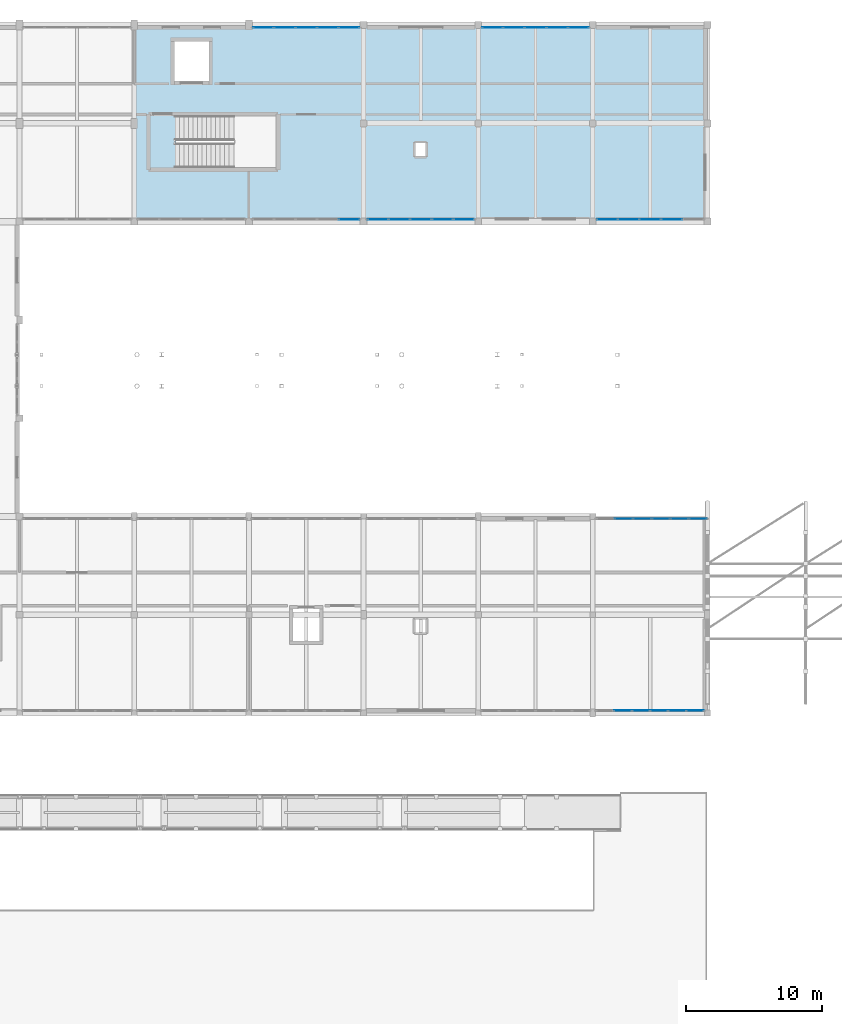
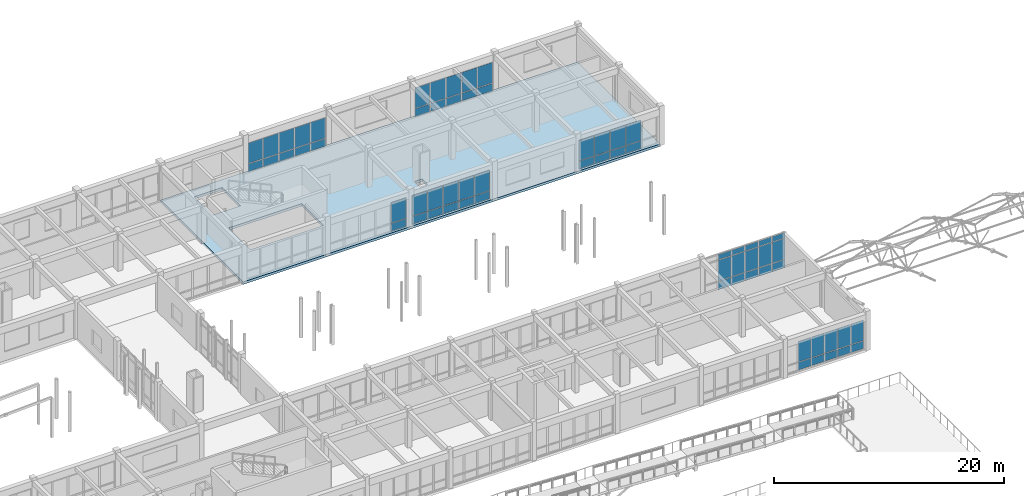
# One storey, part 68 of 89: 65 plates, 1 slab, 7 elements without a shape of their own.
"""IFC4 building model written with IfcOpenShell, lengths in metres."""

from ifc_helpers import new_model, si_unit, direction, frame, origin, origin_2d, place, context, subcontext, project, spatial, polyline, rectangle, outline, extrude, material, layer, layer_set, type_object, element, aggregate, save


model = new_model("IFC4")

# Units and contexts
model_context = context("Model", 3, precision=1e-05, world=origin(), true_north=direction((0.0, 1.0)))
body_context = subcontext(model_context, "Body", "Model", "MODEL_VIEW")
ifc_project = project(units=[si_unit("LENGTHUNIT", "METRE"), si_unit("AREAUNIT", "SQUARE_METRE"), si_unit("VOLUMEUNIT", "CUBIC_METRE"), si_unit("PLANEANGLEUNIT", "RADIAN"), si_unit("MASSUNIT", "GRAM", prefix="KILO")], contexts=[model_context])

# Site, building, storey
site_placement = place(None, origin())
site = spatial("IfcSite", under=ifc_project, at=site_placement, CompositionType="ELEMENT")
building_placement = place(site_placement, origin())
building = spatial("IfcBuilding", under=site, at=building_placement, Name="Malvenik Polytechnic", CompositionType="ELEMENT")
storey_placement = place(building_placement, frame((0.0, 0.0, 13.5)))
storey = spatial("IfcBuildingStorey", under=building, at=storey_placement, Name="L03", CompositionType="ELEMENT", Elevation=13.5)

# Curtain wall, plates
ifc_material_1 = material(Name="Anodised aluminium 6060-T6", Category="aluminium")
curtain_wall_type_1 = type_object("IfcCurtainWallType", Name="ARC-CW-CW-02", PredefinedType="NOTDEFINED", material=ifc_material_1)
curtain_wall_1_placement = place(storey_placement, origin())
curtain_wall_1 = element("IfcCurtainWall", 1, at=curtain_wall_1_placement, inside=storey, type_object=curtain_wall_type_1, Name="Unitised Curtain Wall CW-02 L03 #180", PredefinedType="NOTDEFINED")
ifc_material_2 = material(Name="Insulated low-E double glazing 8-16-8", Category="glass")
ifc_layer_1 = layer(ifc_material_2, 0.028076171875)
ifc_layer_set_1 = layer_set([ifc_layer_1], Name="Insulated low-E double glazing 8-16-8")
plate_type_1 = type_object("IfcPlateType", Name="ARC-CWP-CP-GLZ28", PredefinedType="CURTAIN_PANEL", material=ifc_layer_set_1)
plate_1_placement = place(storey_placement, frame((101.853515625, 129.429931640625, 0.929931640625), z_axis=(0.0, 0.0, 1.0), x_axis=(1.0, 0.0, 0.0)))
plate_1 = element("IfcPlate", 2, at=plate_1_placement, type_object=plate_type_1, Name="CW-02 panel 1.2", PredefinedType="CURTAIN_PANEL", context=body_context, shape_type="SweptSolid", body=[
    extrude(rectangle(XDim=1.49072265625, YDim=0.028076171875, at=origin_2d()), origin(), (0.0, 0.0, 1.0), 2.169921875),
])
plate_2_placement = place(storey_placement, frame((103.419189453125, 129.429931640625, 0.929931640625), z_axis=(0.0, 0.0, 1.0), x_axis=(1.0, 0.0, 0.0)))
plate_2 = element("IfcPlate", 3, at=plate_2_placement, type_object=plate_type_1, Name="CW-02 panel 2.2", PredefinedType="CURTAIN_PANEL", context=body_context, shape_type="SweptSolid", body=[
    extrude(rectangle(XDim=1.520751953125, YDim=0.028076171875, at=origin_2d()), origin(), (0.0, 0.0, 1.0), 2.169921875),
])
plate_3_placement = place(storey_placement, frame((105.0, 129.429931640625, 0.929931640625), z_axis=(0.0, 0.0, 1.0), x_axis=(1.0, 0.0, 0.0)))
plate_3 = element("IfcPlate", 4, at=plate_3_placement, type_object=plate_type_1, Name="CW-02 panel 3.2", PredefinedType="CURTAIN_PANEL", context=body_context, shape_type="SweptSolid", body=[
    extrude(rectangle(XDim=1.520751953125, YDim=0.028076171875, at=origin_2d()), origin(), (0.0, 0.0, 1.0), 2.169921875),
])
plate_4_placement = place(storey_placement, frame((106.580810546875, 129.429931640625, 0.929931640625), z_axis=(0.0, 0.0, 1.0), x_axis=(1.0, 0.0, 0.0)))
plate_4 = element("IfcPlate", 5, at=plate_4_placement, type_object=plate_type_1, Name="CW-02 panel 4.2", PredefinedType="CURTAIN_PANEL", context=body_context, shape_type="SweptSolid", body=[
    extrude(rectangle(XDim=1.520751953125, YDim=0.028076171875, at=origin_2d()), origin(), (0.0, 0.0, 1.0), 2.169921875),
])
plate_5_placement = place(storey_placement, frame((108.146484375, 129.429931640625, 0.929931640625), z_axis=(0.0, 0.0, 1.0), x_axis=(1.0, 0.0, 0.0)))
plate_5 = element("IfcPlate", 6, at=plate_5_placement, type_object=plate_type_1, Name="CW-02 panel 5.2", PredefinedType="CURTAIN_PANEL", context=body_context, shape_type="SweptSolid", body=[
    extrude(rectangle(XDim=1.49072265625, YDim=0.028076171875, at=origin_2d()), origin(), (0.0, 0.0, 1.0), 2.169921875),
])

curtain_wall_2_placement = place(storey_placement, origin())
curtain_wall_2 = element("IfcCurtainWall", 7, at=curtain_wall_2_placement, inside=storey, type_object=curtain_wall_type_1, Name="Unitised Curtain Wall CW-02 L03 #181", PredefinedType="NOTDEFINED")
plate_6_placement = place(storey_placement, frame((118.6533203125, 129.429931640625, 0.929931640625), z_axis=(0.0, 0.0, 1.0), x_axis=(1.0, 0.0, 0.0)))
plate_6 = element("IfcPlate", 8, at=plate_6_placement, type_object=plate_type_1, Name="CW-02 panel 1.2", PredefinedType="CURTAIN_PANEL", context=body_context, shape_type="SweptSolid", body=[
    extrude(rectangle(XDim=1.49072265625, YDim=0.028076171875, at=origin_2d()), origin(), (0.0, 0.0, 1.0), 2.169921875),
])
plate_7_placement = place(storey_placement, frame((120.21923828125, 129.429931640625, 0.929931640625), z_axis=(0.0, 0.0, 1.0), x_axis=(1.0, 0.0, 0.0)))
plate_7 = element("IfcPlate", 9, at=plate_7_placement, type_object=plate_type_1, Name="CW-02 panel 2.2", PredefinedType="CURTAIN_PANEL", context=body_context, shape_type="SweptSolid", body=[
    extrude(rectangle(XDim=1.520751953125, YDim=0.028076171875, at=origin_2d()), origin(), (0.0, 0.0, 1.0), 2.169921875),
])
plate_8_placement = place(storey_placement, frame((121.800048828125, 129.429931640625, 0.929931640625), z_axis=(0.0, 0.0, 1.0), x_axis=(1.0, 0.0, 0.0)))
plate_8 = element("IfcPlate", 10, at=plate_8_placement, type_object=plate_type_1, Name="CW-02 panel 3.2", PredefinedType="CURTAIN_PANEL", context=body_context, shape_type="SweptSolid", body=[
    extrude(rectangle(XDim=1.520751953125, YDim=0.028076171875, at=origin_2d()), origin(), (0.0, 0.0, 1.0), 2.169921875),
])
plate_9_placement = place(storey_placement, frame((123.380859375, 129.429931640625, 0.929931640625), z_axis=(0.0, 0.0, 1.0), x_axis=(1.0, 0.0, 0.0)))
plate_9 = element("IfcPlate", 11, at=plate_9_placement, type_object=plate_type_1, Name="CW-02 panel 4.2", PredefinedType="CURTAIN_PANEL", context=body_context, shape_type="SweptSolid", body=[
    extrude(rectangle(XDim=1.520751953125, YDim=0.028076171875, at=origin_2d()), origin(), (0.0, 0.0, 1.0), 2.169921875),
])
plate_10_placement = place(storey_placement, frame((124.946533203125, 129.429931640625, 0.929931640625), z_axis=(0.0, 0.0, 1.0), x_axis=(1.0, 0.0, 0.0)))
plate_10 = element("IfcPlate", 12, at=plate_10_placement, type_object=plate_type_1, Name="CW-02 panel 5.2", PredefinedType="CURTAIN_PANEL", context=body_context, shape_type="SweptSolid", body=[
    extrude(rectangle(XDim=1.49072265625, YDim=0.028076171875, at=origin_2d()), origin(), (0.0, 0.0, 1.0), 2.169921875),
])

curtain_wall_3_placement = place(storey_placement, origin())
curtain_wall_3 = element("IfcCurtainWall", 13, at=curtain_wall_3_placement, inside=storey, type_object=curtain_wall_type_1, Name="Unitised Curtain Wall CW-02 L03 #182", PredefinedType="NOTDEFINED")
plate_11_placement = place(storey_placement, frame((131.78076171875, 115.3701171875, 0.929931640625), z_axis=(0.0, 0.0, 1.0), x_axis=(-1.0, 0.0, 0.0)))
plate_11 = element("IfcPlate", 14, at=plate_11_placement, type_object=plate_type_1, Name="CW-02 panel 2.2", PredefinedType="CURTAIN_PANEL", context=body_context, shape_type="SweptSolid", body=[
    extrude(rectangle(XDim=1.520751953125, YDim=0.028076171875, at=origin_2d()), origin(), (0.0, 0.0, 1.0), 2.169921875),
])
plate_12_placement = place(storey_placement, frame((130.199951171875, 115.3701171875, 0.929931640625), z_axis=(0.0, 0.0, 1.0), x_axis=(-1.0, 0.0, 0.0)))
plate_12 = element("IfcPlate", 15, at=plate_12_placement, type_object=plate_type_1, Name="CW-02 panel 3.2", PredefinedType="CURTAIN_PANEL", context=body_context, shape_type="SweptSolid", body=[
    extrude(rectangle(XDim=1.520751953125, YDim=0.028076171875, at=origin_2d()), origin(), (0.0, 0.0, 1.0), 2.169921875),
])
plate_13_placement = place(storey_placement, frame((128.619140625, 115.3701171875, 0.929931640625), z_axis=(0.0, 0.0, 1.0), x_axis=(-1.0, 0.0, 0.0)))
plate_13 = element("IfcPlate", 16, at=plate_13_placement, type_object=plate_type_1, Name="CW-02 panel 4.2", PredefinedType="CURTAIN_PANEL", context=body_context, shape_type="SweptSolid", body=[
    extrude(rectangle(XDim=1.520751953125, YDim=0.028076171875, at=origin_2d()), origin(), (0.0, 0.0, 1.0), 2.169921875),
])
plate_14_placement = place(storey_placement, frame((127.053466796875, 115.3701171875, 0.929931640625), z_axis=(0.0, 0.0, 1.0), x_axis=(-1.0, 0.0, 0.0)))
plate_14 = element("IfcPlate", 17, at=plate_14_placement, type_object=plate_type_1, Name="CW-02 panel 5.2", PredefinedType="CURTAIN_PANEL", context=body_context, shape_type="SweptSolid", body=[
    extrude(rectangle(XDim=1.49072265625, YDim=0.028076171875, at=origin_2d()), origin(), (0.0, 0.0, 1.0), 2.169921875),
])

curtain_wall_4_placement = place(storey_placement, origin())
curtain_wall_4 = element("IfcCurtainWall", 18, at=curtain_wall_4_placement, inside=storey, type_object=curtain_wall_type_1, Name="Unitised Curtain Wall CW-02 L03 #183", PredefinedType="NOTDEFINED")
plate_15_placement = place(storey_placement, frame((116.546630859375, 115.3701171875, 0.929931640625), z_axis=(0.0, 0.0, 1.0), x_axis=(-1.0, 0.0, 0.0)))
plate_15 = element("IfcPlate", 19, at=plate_15_placement, type_object=plate_type_1, Name="CW-02 panel 1.2", PredefinedType="CURTAIN_PANEL", context=body_context, shape_type="SweptSolid", body=[
    extrude(rectangle(XDim=1.49072265625, YDim=0.028076171875, at=origin_2d()), origin(), (0.0, 0.0, 1.0), 2.169921875),
])
plate_16_placement = place(storey_placement, frame((114.980712890625, 115.3701171875, 0.929931640625), z_axis=(0.0, 0.0, 1.0), x_axis=(-1.0, 0.0, 0.0)))
plate_16 = element("IfcPlate", 20, at=plate_16_placement, type_object=plate_type_1, Name="CW-02 panel 2.2", PredefinedType="CURTAIN_PANEL", context=body_context, shape_type="SweptSolid", body=[
    extrude(rectangle(XDim=1.520751953125, YDim=0.028076171875, at=origin_2d()), origin(), (0.0, 0.0, 1.0), 2.169921875),
])
plate_17_placement = place(storey_placement, frame((113.39990234375, 115.3701171875, 0.929931640625), z_axis=(0.0, 0.0, 1.0), x_axis=(-1.0, 0.0, 0.0)))
plate_17 = element("IfcPlate", 21, at=plate_17_placement, type_object=plate_type_1, Name="CW-02 panel 3.2", PredefinedType="CURTAIN_PANEL", context=body_context, shape_type="SweptSolid", body=[
    extrude(rectangle(XDim=1.520751953125, YDim=0.028076171875, at=origin_2d()), origin(), (0.0, 0.0, 1.0), 2.169921875),
])
plate_18_placement = place(storey_placement, frame((111.819091796875, 115.3701171875, 0.929931640625), z_axis=(0.0, 0.0, 1.0), x_axis=(-1.0, 0.0, 0.0)))
plate_18 = element("IfcPlate", 22, at=plate_18_placement, type_object=plate_type_1, Name="CW-02 panel 4.2", PredefinedType="CURTAIN_PANEL", context=body_context, shape_type="SweptSolid", body=[
    extrude(rectangle(XDim=1.520751953125, YDim=0.028076171875, at=origin_2d()), origin(), (0.0, 0.0, 1.0), 2.169921875),
])
plate_19_placement = place(storey_placement, frame((110.25341796875, 115.3701171875, 0.929931640625), z_axis=(0.0, 0.0, 1.0), x_axis=(-1.0, 0.0, 0.0)))
plate_19 = element("IfcPlate", 23, at=plate_19_placement, type_object=plate_type_1, Name="CW-02 panel 5.2", PredefinedType="CURTAIN_PANEL", context=body_context, shape_type="SweptSolid", body=[
    extrude(rectangle(XDim=1.49072265625, YDim=0.028076171875, at=origin_2d()), origin(), (0.0, 0.0, 1.0), 2.169921875),
])

# Curtain wall, plate
curtain_wall_5_placement = place(storey_placement, origin())
curtain_wall_5 = element("IfcCurtainWall", 24, at=curtain_wall_5_placement, inside=storey, type_object=curtain_wall_type_1, Name="Unitised Curtain Wall CW-02 L03 #184", PredefinedType="NOTDEFINED")
plate_20_placement = place(storey_placement, frame((108.146484375, 115.3701171875, 0.929931640625), z_axis=(0.0, 0.0, 1.0), x_axis=(-1.0, 0.0, 0.0)))
plate_20 = element("IfcPlate", 25, at=plate_20_placement, type_object=plate_type_1, Name="CW-02 panel 1.2", PredefinedType="CURTAIN_PANEL", context=body_context, shape_type="SweptSolid", body=[
    extrude(rectangle(XDim=1.49072265625, YDim=0.028076171875, at=origin_2d()), origin(), (0.0, 0.0, 1.0), 2.169921875),
])

# Curtain wall, plates
curtain_wall_type_2 = type_object("IfcCurtainWallType", Name="ARC-CW-CW-01", PredefinedType="NOTDEFINED", material=ifc_material_1)
curtain_wall_6_placement = place(storey_placement, origin())
curtain_wall_6 = element("IfcCurtainWall", 26, at=curtain_wall_6_placement, inside=storey, type_object=curtain_wall_type_2, Name="Unitised Curtain Wall CW-01 L03 #192", PredefinedType="NOTDEFINED")
plate_21_placement = place(storey_placement, frame((128.267333984375, 93.429931640625, 0.97998046875), z_axis=(0.0, 0.0, 1.0), x_axis=(1.0, 0.0, 0.0)))
plate_21 = element("IfcPlate", 27, at=plate_21_placement, type_object=plate_type_1, Name="CW-01 panel 2.2", PredefinedType="CURTAIN_PANEL", context=body_context, shape_type="SweptSolid", body=[
    extrude(rectangle(XDim=1.302734375, YDim=0.028076171875, at=origin_2d()), origin(), (0.0, 0.0, 1.0), 2.199951171875),
])
plate_22_placement = place(storey_placement, frame((128.267333984375, 93.429931640625, 3.239990234375), z_axis=(0.0, 0.0, 1.0), x_axis=(1.0, 0.0, 0.0)))
plate_22 = element("IfcPlate", 28, at=plate_22_placement, type_object=plate_type_1, Name="CW-01 panel 2.3", PredefinedType="CURTAIN_PANEL", context=body_context, shape_type="SweptSolid", body=[
    extrude(rectangle(XDim=1.302734375, YDim=0.028076171875, at=origin_2d()), origin(), (0.0, 0.0, 1.0), 0.56005859375),
])
plate_23_placement = place(storey_placement, frame((129.630126953125, 93.429931640625, 0.97998046875), z_axis=(0.0, 0.0, 1.0), x_axis=(1.0, 0.0, 0.0)))
plate_23 = element("IfcPlate", 29, at=plate_23_placement, type_object=plate_type_1, Name="CW-01 panel 3.2", PredefinedType="CURTAIN_PANEL", context=body_context, shape_type="SweptSolid", body=[
    extrude(rectangle(XDim=1.302734375, YDim=0.028076171875, at=origin_2d()), origin(), (0.0, 0.0, 1.0), 2.199951171875),
])
plate_24_placement = place(storey_placement, frame((129.630126953125, 93.429931640625, 3.239990234375), z_axis=(0.0, 0.0, 1.0), x_axis=(1.0, 0.0, 0.0)))
plate_24 = element("IfcPlate", 30, at=plate_24_placement, type_object=plate_type_1, Name="CW-01 panel 3.3", PredefinedType="CURTAIN_PANEL", context=body_context, shape_type="SweptSolid", body=[
    extrude(rectangle(XDim=1.302734375, YDim=0.028076171875, at=origin_2d()), origin(), (0.0, 0.0, 1.0), 0.56005859375),
])
plate_25_placement = place(storey_placement, frame((130.992919921875, 93.429931640625, 0.97998046875), z_axis=(0.0, 0.0, 1.0), x_axis=(1.0, 0.0, 0.0)))
plate_25 = element("IfcPlate", 31, at=plate_25_placement, type_object=plate_type_1, Name="CW-01 panel 4.2", PredefinedType="CURTAIN_PANEL", context=body_context, shape_type="SweptSolid", body=[
    extrude(rectangle(XDim=1.302734375, YDim=0.028076171875, at=origin_2d()), origin(), (0.0, 0.0, 1.0), 2.199951171875),
])
plate_26_placement = place(storey_placement, frame((130.992919921875, 93.429931640625, 3.239990234375), z_axis=(0.0, 0.0, 1.0), x_axis=(1.0, 0.0, 0.0)))
plate_26 = element("IfcPlate", 32, at=plate_26_placement, type_object=plate_type_1, Name="CW-01 panel 4.3", PredefinedType="CURTAIN_PANEL", context=body_context, shape_type="SweptSolid", body=[
    extrude(rectangle(XDim=1.302734375, YDim=0.028076171875, at=origin_2d()), origin(), (0.0, 0.0, 1.0), 0.56005859375),
])
plate_27_placement = place(storey_placement, frame((132.355712890625, 93.429931640625, 0.97998046875), z_axis=(0.0, 0.0, 1.0), x_axis=(1.0, 0.0, 0.0)))
plate_27 = element("IfcPlate", 33, at=plate_27_placement, type_object=plate_type_1, Name="CW-01 panel 5.2", PredefinedType="CURTAIN_PANEL", context=body_context, shape_type="SweptSolid", body=[
    extrude(rectangle(XDim=1.302734375, YDim=0.028076171875, at=origin_2d()), origin(), (0.0, 0.0, 1.0), 2.199951171875),
])
plate_28_placement = place(storey_placement, frame((132.355712890625, 93.429931640625, 3.239990234375), z_axis=(0.0, 0.0, 1.0), x_axis=(1.0, 0.0, 0.0)))
plate_28 = element("IfcPlate", 34, at=plate_28_placement, type_object=plate_type_1, Name="CW-01 panel 5.3", PredefinedType="CURTAIN_PANEL", context=body_context, shape_type="SweptSolid", body=[
    extrude(rectangle(XDim=1.302734375, YDim=0.028076171875, at=origin_2d()), origin(), (0.0, 0.0, 1.0), 0.56005859375),
])
plate_29_placement = place(storey_placement, frame((133.70361328125, 93.429931640625, 0.97998046875), z_axis=(0.0, 0.0, 1.0), x_axis=(1.0, 0.0, 0.0)))
plate_29 = element("IfcPlate", 35, at=plate_29_placement, type_object=plate_type_1, Name="CW-01 panel 6.2", PredefinedType="CURTAIN_PANEL", context=body_context, shape_type="SweptSolid", body=[
    extrude(rectangle(XDim=1.27294921875, YDim=0.028076171875, at=origin_2d()), origin(), (0.0, 0.0, 1.0), 2.199951171875),
])
plate_30_placement = place(storey_placement, frame((133.70361328125, 93.429931640625, 3.239990234375), z_axis=(0.0, 0.0, 1.0), x_axis=(1.0, 0.0, 0.0)))
plate_30 = element("IfcPlate", 36, at=plate_30_placement, type_object=plate_type_1, Name="CW-01 panel 6.3", PredefinedType="CURTAIN_PANEL", context=body_context, shape_type="SweptSolid", body=[
    extrude(rectangle(XDim=1.27294921875, YDim=0.028076171875, at=origin_2d()), origin(), (0.0, 0.0, 1.0), 0.56005859375),
])

curtain_wall_7_placement = place(storey_placement, origin())
curtain_wall_7 = element("IfcCurtainWall", 37, at=curtain_wall_7_placement, inside=storey, type_object=curtain_wall_type_1, Name="Unitised Curtain Wall CW-02 L03 #193", PredefinedType="NOTDEFINED")
plate_31_placement = place(storey_placement, frame((133.4970703125, 79.3701171875, 0.929931640625), z_axis=(0.0, 0.0, 1.0), x_axis=(-1.0, 0.0, 0.0)))
plate_31 = element("IfcPlate", 38, at=plate_31_placement, type_object=plate_type_1, Name="CW-02 panel 1.2", PredefinedType="CURTAIN_PANEL", context=body_context, shape_type="SweptSolid", body=[
    extrude(rectangle(XDim=1.23974609375, YDim=0.028076171875, at=origin_2d()), origin(), (0.0, 0.0, 1.0), 2.169921875),
])
plate_32_placement = place(storey_placement, frame((132.18212890625, 79.3701171875, 0.929931640625), z_axis=(0.0, 0.0, 1.0), x_axis=(-1.0, 0.0, 0.0)))
plate_32 = element("IfcPlate", 39, at=plate_32_placement, type_object=plate_type_1, Name="CW-02 panel 2.2", PredefinedType="CURTAIN_PANEL", context=body_context, shape_type="SweptSolid", body=[
    extrude(rectangle(XDim=1.269775390625, YDim=0.028076171875, at=origin_2d()), origin(), (0.0, 0.0, 1.0), 2.169921875),
])
plate_33_placement = place(storey_placement, frame((130.852294921875, 79.3701171875, 0.929931640625), z_axis=(0.0, 0.0, 1.0), x_axis=(-1.0, 0.0, 0.0)))
plate_33 = element("IfcPlate", 40, at=plate_33_placement, type_object=plate_type_1, Name="CW-02 panel 3.2", PredefinedType="CURTAIN_PANEL", context=body_context, shape_type="SweptSolid", body=[
    extrude(rectangle(XDim=1.269775390625, YDim=0.028076171875, at=origin_2d()), origin(), (0.0, 0.0, 1.0), 2.169921875),
])
plate_34_placement = place(storey_placement, frame((129.522705078125, 79.3701171875, 0.929931640625), z_axis=(0.0, 0.0, 1.0), x_axis=(-1.0, 0.0, 0.0)))
plate_34 = element("IfcPlate", 41, at=plate_34_placement, type_object=plate_type_1, Name="CW-02 panel 4.2", PredefinedType="CURTAIN_PANEL", context=body_context, shape_type="SweptSolid", body=[
    extrude(rectangle(XDim=1.269775390625, YDim=0.028076171875, at=origin_2d()), origin(), (0.0, 0.0, 1.0), 2.169921875),
])
plate_35_placement = place(storey_placement, frame((128.19287109375, 79.3701171875, 0.929931640625), z_axis=(0.0, 0.0, 1.0), x_axis=(-1.0, 0.0, 0.0)))
plate_35 = element("IfcPlate", 42, at=plate_35_placement, type_object=plate_type_1, Name="CW-02 panel 5.2", PredefinedType="CURTAIN_PANEL", context=body_context, shape_type="SweptSolid", body=[
    extrude(rectangle(XDim=1.269775390625, YDim=0.028076171875, at=origin_2d()), origin(), (0.0, 0.0, 1.0), 2.169921875),
])

# Plate
ifc_material_3 = material(Name="Insulated aluminium spandrel cassette 42mm", Category="aluminium")
ifc_layer_2 = layer(ifc_material_3, 0.0419921875)
ifc_layer_set_2 = layer_set([ifc_layer_2], Name="Insulated aluminium spandrel cassette 42mm")
plate_type_2 = type_object("IfcPlateType", Name="ARC-CWP-CP-SPN42", PredefinedType="CURTAIN_PANEL", material=ifc_layer_set_2)
plate_36_placement = place(storey_placement, frame((101.853515625, 129.429931640625, 0.06005859375), z_axis=(0.0, 0.0, 1.0), x_axis=(1.0, 0.0, 0.0)))
plate_36 = element("IfcPlate", 43, at=plate_36_placement, type_object=plate_type_2, Name="CW-02 panel 1.1", PredefinedType="CURTAIN_PANEL", context=body_context, shape_type="SweptSolid", body=[
    extrude(rectangle(XDim=1.49072265625, YDim=0.028076171875, at=origin_2d()), origin(), (0.0, 0.0, 1.0), 0.81005859375),
])

plate_37_placement = place(storey_placement, frame((103.419189453125, 129.429931640625, 0.06005859375), z_axis=(0.0, 0.0, 1.0), x_axis=(1.0, 0.0, 0.0)))
plate_37 = element("IfcPlate", 44, at=plate_37_placement, type_object=plate_type_2, Name="CW-02 panel 2.1", PredefinedType="CURTAIN_PANEL", context=body_context, shape_type="SweptSolid", body=[
    extrude(rectangle(XDim=1.520751953125, YDim=0.028076171875, at=origin_2d()), origin(), (0.0, 0.0, 1.0), 0.81005859375),
])

plate_38_placement = place(storey_placement, frame((105.0, 129.429931640625, 0.06005859375), z_axis=(0.0, 0.0, 1.0), x_axis=(1.0, 0.0, 0.0)))
plate_38 = element("IfcPlate", 45, at=plate_38_placement, type_object=plate_type_2, Name="CW-02 panel 3.1", PredefinedType="CURTAIN_PANEL", context=body_context, shape_type="SweptSolid", body=[
    extrude(rectangle(XDim=1.520751953125, YDim=0.028076171875, at=origin_2d()), origin(), (0.0, 0.0, 1.0), 0.81005859375),
])

plate_39_placement = place(storey_placement, frame((106.580810546875, 129.429931640625, 0.06005859375), z_axis=(0.0, 0.0, 1.0), x_axis=(1.0, 0.0, 0.0)))
plate_39 = element("IfcPlate", 46, at=plate_39_placement, type_object=plate_type_2, Name="CW-02 panel 4.1", PredefinedType="CURTAIN_PANEL", context=body_context, shape_type="SweptSolid", body=[
    extrude(rectangle(XDim=1.520751953125, YDim=0.028076171875, at=origin_2d()), origin(), (0.0, 0.0, 1.0), 0.81005859375),
])

plate_40_placement = place(storey_placement, frame((108.146484375, 129.429931640625, 0.06005859375), z_axis=(0.0, 0.0, 1.0), x_axis=(1.0, 0.0, 0.0)))
plate_40 = element("IfcPlate", 47, at=plate_40_placement, type_object=plate_type_2, Name="CW-02 panel 5.1", PredefinedType="CURTAIN_PANEL", context=body_context, shape_type="SweptSolid", body=[
    extrude(rectangle(XDim=1.49072265625, YDim=0.028076171875, at=origin_2d()), origin(), (0.0, 0.0, 1.0), 0.81005859375),
])

aggregate(curtain_wall_1, [plate_36, plate_1, plate_37, plate_2, plate_38, plate_3, plate_39, plate_4, plate_40, plate_5])

plate_41_placement = place(storey_placement, frame((118.6533203125, 129.429931640625, 0.06005859375), z_axis=(0.0, 0.0, 1.0), x_axis=(1.0, 0.0, 0.0)))
plate_41 = element("IfcPlate", 48, at=plate_41_placement, type_object=plate_type_2, Name="CW-02 panel 1.1", PredefinedType="CURTAIN_PANEL", context=body_context, shape_type="SweptSolid", body=[
    extrude(rectangle(XDim=1.49072265625, YDim=0.028076171875, at=origin_2d()), origin(), (0.0, 0.0, 1.0), 0.81005859375),
])

plate_42_placement = place(storey_placement, frame((120.21923828125, 129.429931640625, 0.06005859375), z_axis=(0.0, 0.0, 1.0), x_axis=(1.0, 0.0, 0.0)))
plate_42 = element("IfcPlate", 49, at=plate_42_placement, type_object=plate_type_2, Name="CW-02 panel 2.1", PredefinedType="CURTAIN_PANEL", context=body_context, shape_type="SweptSolid", body=[
    extrude(rectangle(XDim=1.520751953125, YDim=0.028076171875, at=origin_2d()), origin(), (0.0, 0.0, 1.0), 0.81005859375),
])

plate_43_placement = place(storey_placement, frame((121.800048828125, 129.429931640625, 0.06005859375), z_axis=(0.0, 0.0, 1.0), x_axis=(1.0, 0.0, 0.0)))
plate_43 = element("IfcPlate", 50, at=plate_43_placement, type_object=plate_type_2, Name="CW-02 panel 3.1", PredefinedType="CURTAIN_PANEL", context=body_context, shape_type="SweptSolid", body=[
    extrude(rectangle(XDim=1.520751953125, YDim=0.028076171875, at=origin_2d()), origin(), (0.0, 0.0, 1.0), 0.81005859375),
])

plate_44_placement = place(storey_placement, frame((123.380859375, 129.429931640625, 0.06005859375), z_axis=(0.0, 0.0, 1.0), x_axis=(1.0, 0.0, 0.0)))
plate_44 = element("IfcPlate", 51, at=plate_44_placement, type_object=plate_type_2, Name="CW-02 panel 4.1", PredefinedType="CURTAIN_PANEL", context=body_context, shape_type="SweptSolid", body=[
    extrude(rectangle(XDim=1.520751953125, YDim=0.028076171875, at=origin_2d()), origin(), (0.0, 0.0, 1.0), 0.81005859375),
])

plate_45_placement = place(storey_placement, frame((124.946533203125, 129.429931640625, 0.06005859375), z_axis=(0.0, 0.0, 1.0), x_axis=(1.0, 0.0, 0.0)))
plate_45 = element("IfcPlate", 52, at=plate_45_placement, type_object=plate_type_2, Name="CW-02 panel 5.1", PredefinedType="CURTAIN_PANEL", context=body_context, shape_type="SweptSolid", body=[
    extrude(rectangle(XDim=1.49072265625, YDim=0.028076171875, at=origin_2d()), origin(), (0.0, 0.0, 1.0), 0.81005859375),
])

aggregate(curtain_wall_2, [plate_41, plate_6, plate_42, plate_7, plate_43, plate_8, plate_44, plate_9, plate_45, plate_10])

plate_46_placement = place(storey_placement, frame((131.78076171875, 115.3701171875, 0.06005859375), z_axis=(0.0, 0.0, 1.0), x_axis=(-1.0, 0.0, 0.0)))
plate_46 = element("IfcPlate", 53, at=plate_46_placement, type_object=plate_type_2, Name="CW-02 panel 2.1", PredefinedType="CURTAIN_PANEL", context=body_context, shape_type="SweptSolid", body=[
    extrude(rectangle(XDim=1.520751953125, YDim=0.028076171875, at=origin_2d()), origin(), (0.0, 0.0, 1.0), 0.81005859375),
])

plate_47_placement = place(storey_placement, frame((130.199951171875, 115.3701171875, 0.06005859375), z_axis=(0.0, 0.0, 1.0), x_axis=(-1.0, 0.0, 0.0)))
plate_47 = element("IfcPlate", 54, at=plate_47_placement, type_object=plate_type_2, Name="CW-02 panel 3.1", PredefinedType="CURTAIN_PANEL", context=body_context, shape_type="SweptSolid", body=[
    extrude(rectangle(XDim=1.520751953125, YDim=0.028076171875, at=origin_2d()), origin(), (0.0, 0.0, 1.0), 0.81005859375),
])

plate_48_placement = place(storey_placement, frame((128.619140625, 115.3701171875, 0.06005859375), z_axis=(0.0, 0.0, 1.0), x_axis=(-1.0, 0.0, 0.0)))
plate_48 = element("IfcPlate", 55, at=plate_48_placement, type_object=plate_type_2, Name="CW-02 panel 4.1", PredefinedType="CURTAIN_PANEL", context=body_context, shape_type="SweptSolid", body=[
    extrude(rectangle(XDim=1.520751953125, YDim=0.028076171875, at=origin_2d()), origin(), (0.0, 0.0, 1.0), 0.81005859375),
])

plate_49_placement = place(storey_placement, frame((127.053466796875, 115.3701171875, 0.06005859375), z_axis=(0.0, 0.0, 1.0), x_axis=(-1.0, 0.0, 0.0)))
plate_49 = element("IfcPlate", 56, at=plate_49_placement, type_object=plate_type_2, Name="CW-02 panel 5.1", PredefinedType="CURTAIN_PANEL", context=body_context, shape_type="SweptSolid", body=[
    extrude(rectangle(XDim=1.49072265625, YDim=0.028076171875, at=origin_2d()), origin(), (0.0, 0.0, 1.0), 0.81005859375),
])

aggregate(curtain_wall_3, [plate_46, plate_11, plate_47, plate_12, plate_48, plate_13, plate_49, plate_14])

plate_50_placement = place(storey_placement, frame((116.546630859375, 115.3701171875, 0.06005859375), z_axis=(0.0, 0.0, 1.0), x_axis=(-1.0, 0.0, 0.0)))
plate_50 = element("IfcPlate", 57, at=plate_50_placement, type_object=plate_type_2, Name="CW-02 panel 1.1", PredefinedType="CURTAIN_PANEL", context=body_context, shape_type="SweptSolid", body=[
    extrude(rectangle(XDim=1.49072265625, YDim=0.028076171875, at=origin_2d()), origin(), (0.0, 0.0, 1.0), 0.81005859375),
])

plate_51_placement = place(storey_placement, frame((114.980712890625, 115.3701171875, 0.06005859375), z_axis=(0.0, 0.0, 1.0), x_axis=(-1.0, 0.0, 0.0)))
plate_51 = element("IfcPlate", 58, at=plate_51_placement, type_object=plate_type_2, Name="CW-02 panel 2.1", PredefinedType="CURTAIN_PANEL", context=body_context, shape_type="SweptSolid", body=[
    extrude(rectangle(XDim=1.520751953125, YDim=0.028076171875, at=origin_2d()), origin(), (0.0, 0.0, 1.0), 0.81005859375),
])

plate_52_placement = place(storey_placement, frame((113.39990234375, 115.3701171875, 0.06005859375), z_axis=(0.0, 0.0, 1.0), x_axis=(-1.0, 0.0, 0.0)))
plate_52 = element("IfcPlate", 59, at=plate_52_placement, type_object=plate_type_2, Name="CW-02 panel 3.1", PredefinedType="CURTAIN_PANEL", context=body_context, shape_type="SweptSolid", body=[
    extrude(rectangle(XDim=1.520751953125, YDim=0.028076171875, at=origin_2d()), origin(), (0.0, 0.0, 1.0), 0.81005859375),
])

plate_53_placement = place(storey_placement, frame((111.819091796875, 115.3701171875, 0.06005859375), z_axis=(0.0, 0.0, 1.0), x_axis=(-1.0, 0.0, 0.0)))
plate_53 = element("IfcPlate", 60, at=plate_53_placement, type_object=plate_type_2, Name="CW-02 panel 4.1", PredefinedType="CURTAIN_PANEL", context=body_context, shape_type="SweptSolid", body=[
    extrude(rectangle(XDim=1.520751953125, YDim=0.028076171875, at=origin_2d()), origin(), (0.0, 0.0, 1.0), 0.81005859375),
])

plate_54_placement = place(storey_placement, frame((110.25341796875, 115.3701171875, 0.06005859375), z_axis=(0.0, 0.0, 1.0), x_axis=(-1.0, 0.0, 0.0)))
plate_54 = element("IfcPlate", 61, at=plate_54_placement, type_object=plate_type_2, Name="CW-02 panel 5.1", PredefinedType="CURTAIN_PANEL", context=body_context, shape_type="SweptSolid", body=[
    extrude(rectangle(XDim=1.49072265625, YDim=0.028076171875, at=origin_2d()), origin(), (0.0, 0.0, 1.0), 0.81005859375),
])

aggregate(curtain_wall_4, [plate_50, plate_15, plate_51, plate_16, plate_52, plate_17, plate_53, plate_18, plate_54, plate_19])

plate_55_placement = place(storey_placement, frame((108.146484375, 115.3701171875, 0.06005859375), z_axis=(0.0, 0.0, 1.0), x_axis=(-1.0, 0.0, 0.0)))
plate_55 = element("IfcPlate", 62, at=plate_55_placement, type_object=plate_type_2, Name="CW-02 panel 1.1", PredefinedType="CURTAIN_PANEL", context=body_context, shape_type="SweptSolid", body=[
    extrude(rectangle(XDim=1.49072265625, YDim=0.028076171875, at=origin_2d()), origin(), (0.0, 0.0, 1.0), 0.81005859375),
])

aggregate(curtain_wall_5, [plate_55, plate_20])

plate_56_placement = place(storey_placement, frame((128.267333984375, 93.429931640625, 0.06005859375), z_axis=(0.0, 0.0, 1.0), x_axis=(1.0, 0.0, 0.0)))
plate_56 = element("IfcPlate", 63, at=plate_56_placement, type_object=plate_type_2, Name="CW-01 panel 2.1", PredefinedType="CURTAIN_PANEL", context=body_context, shape_type="SweptSolid", body=[
    extrude(rectangle(XDim=1.302734375, YDim=0.028076171875, at=origin_2d()), origin(), (0.0, 0.0, 1.0), 0.860107421875),
])

plate_57_placement = place(storey_placement, frame((129.630126953125, 93.429931640625, 0.06005859375), z_axis=(0.0, 0.0, 1.0), x_axis=(1.0, 0.0, 0.0)))
plate_57 = element("IfcPlate", 64, at=plate_57_placement, type_object=plate_type_2, Name="CW-01 panel 3.1", PredefinedType="CURTAIN_PANEL", context=body_context, shape_type="SweptSolid", body=[
    extrude(rectangle(XDim=1.302734375, YDim=0.028076171875, at=origin_2d()), origin(), (0.0, 0.0, 1.0), 0.860107421875),
])

plate_58_placement = place(storey_placement, frame((130.992919921875, 93.429931640625, 0.06005859375), z_axis=(0.0, 0.0, 1.0), x_axis=(1.0, 0.0, 0.0)))
plate_58 = element("IfcPlate", 65, at=plate_58_placement, type_object=plate_type_2, Name="CW-01 panel 4.1", PredefinedType="CURTAIN_PANEL", context=body_context, shape_type="SweptSolid", body=[
    extrude(rectangle(XDim=1.302734375, YDim=0.028076171875, at=origin_2d()), origin(), (0.0, 0.0, 1.0), 0.860107421875),
])

plate_59_placement = place(storey_placement, frame((132.355712890625, 93.429931640625, 0.06005859375), z_axis=(0.0, 0.0, 1.0), x_axis=(1.0, 0.0, 0.0)))
plate_59 = element("IfcPlate", 66, at=plate_59_placement, type_object=plate_type_2, Name="CW-01 panel 5.1", PredefinedType="CURTAIN_PANEL", context=body_context, shape_type="SweptSolid", body=[
    extrude(rectangle(XDim=1.302734375, YDim=0.028076171875, at=origin_2d()), origin(), (0.0, 0.0, 1.0), 0.860107421875),
])

plate_60_placement = place(storey_placement, frame((133.70361328125, 93.429931640625, 0.06005859375), z_axis=(0.0, 0.0, 1.0), x_axis=(1.0, 0.0, 0.0)))
plate_60 = element("IfcPlate", 67, at=plate_60_placement, type_object=plate_type_2, Name="CW-01 panel 6.1", PredefinedType="CURTAIN_PANEL", context=body_context, shape_type="SweptSolid", body=[
    extrude(rectangle(XDim=1.27294921875, YDim=0.028076171875, at=origin_2d()), origin(), (0.0, 0.0, 1.0), 0.860107421875),
])

aggregate(curtain_wall_6, [plate_56, plate_21, plate_22, plate_57, plate_23, plate_24, plate_58, plate_25, plate_26, plate_59, plate_27, plate_28, plate_60, plate_29, plate_30])

plate_61_placement = place(storey_placement, frame((133.4970703125, 79.3701171875, 0.06005859375), z_axis=(0.0, 0.0, 1.0), x_axis=(-1.0, 0.0, 0.0)))
plate_61 = element("IfcPlate", 68, at=plate_61_placement, type_object=plate_type_2, Name="CW-02 panel 1.1", PredefinedType="CURTAIN_PANEL", context=body_context, shape_type="SweptSolid", body=[
    extrude(rectangle(XDim=1.23974609375, YDim=0.028076171875, at=origin_2d()), origin(), (0.0, 0.0, 1.0), 0.81005859375),
])

plate_62_placement = place(storey_placement, frame((132.18212890625, 79.3701171875, 0.06005859375), z_axis=(0.0, 0.0, 1.0), x_axis=(-1.0, 0.0, 0.0)))
plate_62 = element("IfcPlate", 69, at=plate_62_placement, type_object=plate_type_2, Name="CW-02 panel 2.1", PredefinedType="CURTAIN_PANEL", context=body_context, shape_type="SweptSolid", body=[
    extrude(rectangle(XDim=1.269775390625, YDim=0.028076171875, at=origin_2d()), origin(), (0.0, 0.0, 1.0), 0.81005859375),
])

plate_63_placement = place(storey_placement, frame((130.852294921875, 79.3701171875, 0.06005859375), z_axis=(0.0, 0.0, 1.0), x_axis=(-1.0, 0.0, 0.0)))
plate_63 = element("IfcPlate", 70, at=plate_63_placement, type_object=plate_type_2, Name="CW-02 panel 3.1", PredefinedType="CURTAIN_PANEL", context=body_context, shape_type="SweptSolid", body=[
    extrude(rectangle(XDim=1.269775390625, YDim=0.028076171875, at=origin_2d()), origin(), (0.0, 0.0, 1.0), 0.81005859375),
])

plate_64_placement = place(storey_placement, frame((129.522705078125, 79.3701171875, 0.06005859375), z_axis=(0.0, 0.0, 1.0), x_axis=(-1.0, 0.0, 0.0)))
plate_64 = element("IfcPlate", 71, at=plate_64_placement, type_object=plate_type_2, Name="CW-02 panel 4.1", PredefinedType="CURTAIN_PANEL", context=body_context, shape_type="SweptSolid", body=[
    extrude(rectangle(XDim=1.269775390625, YDim=0.028076171875, at=origin_2d()), origin(), (0.0, 0.0, 1.0), 0.81005859375),
])

plate_65_placement = place(storey_placement, frame((128.19287109375, 79.3701171875, 0.06005859375), z_axis=(0.0, 0.0, 1.0), x_axis=(-1.0, 0.0, 0.0)))
plate_65 = element("IfcPlate", 72, at=plate_65_placement, type_object=plate_type_2, Name="CW-02 panel 5.1", PredefinedType="CURTAIN_PANEL", context=body_context, shape_type="SweptSolid", body=[
    extrude(rectangle(XDim=1.269775390625, YDim=0.028076171875, at=origin_2d()), origin(), (0.0, 0.0, 1.0), 0.81005859375),
])

aggregate(curtain_wall_7, [plate_61, plate_31, plate_62, plate_32, plate_63, plate_33, plate_64, plate_34, plate_65, plate_35])

# Slab
ifc_material_4 = material(Name="Concrete C35/45", Category="concrete")
ifc_layer_3 = layer(ifc_material_4, 0.260009765625)
ifc_layer_set_3 = layer_set([ifc_layer_3], Name="Concrete C35/45")
slab_type = type_object("IfcSlabType", Name="STR-SLB-FLR-260", PredefinedType="FLOOR", material=ifc_layer_set_3)
slab_placement = place(storey_placement, frame((0.0, 0.0, -0.260009765625)))
element("IfcSlab", 73, at=slab_placement, inside=storey, type_object=slab_type, Name="Structural Slab L03-V1 #82", PredefinedType="FLOOR", context=body_context, shape_type="SweptSolid", body=[
    extrude(outline(polyline([(134.3798828125, 129.60009765625), (134.3798828125, 115.199951171875), (92.419921875, 115.199951171875), (92.419921875, 129.60009765625), (134.3798828125, 129.60009765625)]), holes=[polyline([(113.0, 120.949951171875), (113.0, 120.0), (113.75, 120.0), (113.75, 120.949951171875), (113.0, 120.949951171875)]), polyline([(102.800048828125, 119.14990234375), (102.800048828125, 122.949951171875), (95.41796875, 122.949951171875), (95.41796875, 119.14990234375), (102.800048828125, 119.14990234375)]), polyline([(98.0, 128.550048828125), (95.199951171875, 128.550048828125), (95.199951171875, 125.35009765625), (98.0, 125.35009765625), (98.0, 128.550048828125)])]), origin(), (0.0, 0.0, 1.0), 0.260009765625),
])

save(model, "model.ifc")
